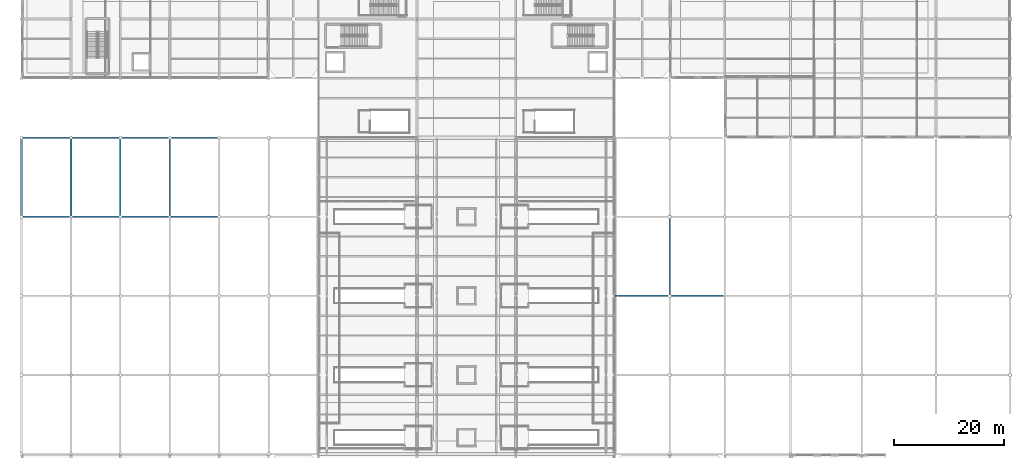
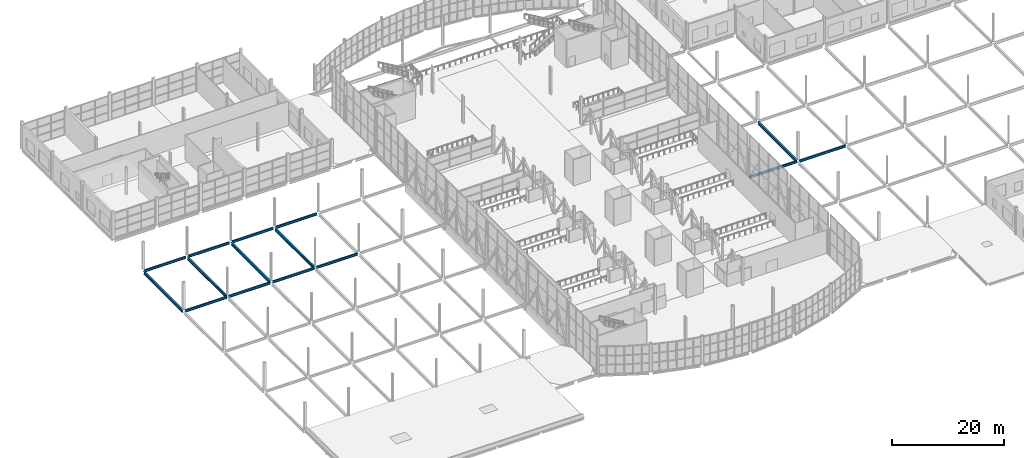
# One storey, part 67 of 191: 15 beams.
"""IFC4 building model written with IfcOpenShell, lengths in metres."""

from ifc_helpers import new_model, si_unit, direction, frame, origin, origin_2d, place, context, subcontext, project, spatial, i_section, extrude, material, material_profile, profile_set, type_object, element, save


model = new_model("IFC4")

# Units and contexts
model_context = context("Model", 3, precision=1e-05, world=origin(), true_north=direction((0.0, 1.0)))
body_context = subcontext(model_context, "Body", "Model", "MODEL_VIEW")
ifc_project = project(units=[si_unit("LENGTHUNIT", "METRE"), si_unit("AREAUNIT", "SQUARE_METRE"), si_unit("VOLUMEUNIT", "CUBIC_METRE"), si_unit("PLANEANGLEUNIT", "RADIAN"), si_unit("MASSUNIT", "GRAM", prefix="KILO")], contexts=[model_context])

# Site, building, storey
site_placement = place(None, origin())
site = spatial("IfcSite", under=ifc_project, at=site_placement, CompositionType="ELEMENT")
building_placement = place(site_placement, origin())
building = spatial("IfcBuilding", under=site, at=building_placement, Name="Tamarisk Ironworks Central Station", CompositionType="ELEMENT")
storey_placement = place(building_placement, frame((0.0, 0.0, 6.60009765625)))
storey = spatial("IfcBuildingStorey", under=building, at=storey_placement, Name="L01", CompositionType="ELEMENT", Elevation=6.60009765625)

# Beams
ifc_material = material(Name="Structural steel S355J2", Category="steel")
ifc_material_profile_1 = material_profile(ifc_material, i_section(OverallWidth=0.300048828125, OverallDepth=0.639892578125, WebThickness=0.013427734375, FlangeThickness=0.02587890625, at=origin_2d()), Name="HEA 650")
ifc_profile_set_1 = profile_set([ifc_material_profile_1], Name="Structural steel S355J2")
beam_type_1 = type_object("IfcBeamType", Name="BM-G02", PredefinedType="BEAM", material=ifc_profile_set_1)
beam_1_placement = place(storey_placement, frame((0.0, 65.0380859375, -0.570068359375), z_axis=(0.0, 1.0, 0.0), x_axis=(-1.0, 0.0, 0.0)))
element("IfcBeam", 1, at=beam_1_placement, inside=storey, type_object=beam_type_1, Name="L01 primary girder Y-0158", PredefinedType="BEAM", context=body_context, shape_type="SweptSolid", body=[
    extrude(i_section(OverallWidth=0.300048828125, OverallDepth=0.639892578125, WebThickness=0.013427734375, FlangeThickness=0.02587890625, at=origin_2d()), origin(), (0.0, 0.0, 1.0), 13.923828125),
])
beam_2_placement = place(storey_placement, frame((9.0, 64.9912109375, -0.570068359375), z_axis=(0.0, 1.0, 0.0), x_axis=(-1.0, 0.0, 0.0)))
element("IfcBeam", 2, at=beam_2_placement, inside=storey, type_object=beam_type_1, Name="L01 primary girder Y-0167", PredefinedType="BEAM", context=body_context, shape_type="SweptSolid", body=[
    extrude(i_section(OverallWidth=0.300048828125, OverallDepth=0.639892578125, WebThickness=0.013427734375, FlangeThickness=0.02587890625, at=origin_2d()), origin(), (0.0, 0.0, 1.0), 13.966796875),
])
beam_3_placement = place(storey_placement, frame((18.0, 65.0419921875, -0.570068359375), z_axis=(0.0, 1.0, 0.0), x_axis=(-1.0, 0.0, 0.0)))
element("IfcBeam", 3, at=beam_3_placement, inside=storey, type_object=beam_type_1, Name="L01 primary girder Y-0175", PredefinedType="BEAM", context=body_context, shape_type="SweptSolid", body=[
    extrude(i_section(OverallWidth=0.300048828125, OverallDepth=0.639892578125, WebThickness=0.013427734375, FlangeThickness=0.02587890625, at=origin_2d()), origin(), (0.0, 0.0, 1.0), 13.916015625),
])
beam_4_placement = place(storey_placement, frame((27.0, 64.9912109375, -0.570068359375), z_axis=(0.0, 1.0, 0.0), x_axis=(-1.0, 0.0, 0.0)))
element("IfcBeam", 4, at=beam_4_placement, inside=storey, type_object=beam_type_1, Name="L01 primary girder Y-0184", PredefinedType="BEAM", context=body_context, shape_type="SweptSolid", body=[
    extrude(i_section(OverallWidth=0.300048828125, OverallDepth=0.639892578125, WebThickness=0.013427734375, FlangeThickness=0.02587890625, at=origin_2d()), origin(), (0.0, 0.0, 1.0), 13.966796875),
])
beam_5_placement = place(storey_placement, frame((118.0, 50.637939453125, -0.570068359375), z_axis=(0.0, 1.0, 0.0), x_axis=(-1.0, 0.0, 0.0)))
element("IfcBeam", 5, at=beam_5_placement, inside=storey, type_object=beam_type_1, Name="L01 primary girder Y-0244", PredefinedType="BEAM", context=body_context, shape_type="SweptSolid", body=[
    extrude(i_section(OverallWidth=0.300048828125, OverallDepth=0.639892578125, WebThickness=0.013427734375, FlangeThickness=0.02587890625, at=origin_2d()), origin(), (0.0, 0.0, 1.0), 13.924072265625),
])
ifc_material_profile_2 = material_profile(ifc_material, i_section(OverallWidth=0.300048828125, OverallDepth=0.489990234375, WebThickness=0.011962890625, FlangeThickness=0.02294921875, at=origin_2d()), Name="HEA 500")
ifc_profile_set_2 = profile_set([ifc_material_profile_2], Name="Structural steel S355J2")
beam_type_2 = type_object("IfcBeamType", Name="BM-G05", PredefinedType="BEAM", material=ifc_profile_set_2)
beam_6_placement = place(storey_placement, frame((108.00390625, 50.39990234375, -0.385009765625), z_axis=(1.0, 0.0, 0.0), x_axis=(0.0, 1.0, 0.0)))
element("IfcBeam", 6, at=beam_6_placement, inside=storey, type_object=beam_type_2, Name="L01 primary girder X-0060", PredefinedType="BEAM", context=body_context, shape_type="SweptSolid", body=[
    extrude(i_section(OverallWidth=0.300048828125, OverallDepth=0.489990234375, WebThickness=0.011962890625, FlangeThickness=0.02294921875, at=origin_2d()), origin(), (0.0, 0.0, 1.0), 9.758056640625),
])
beam_7_placement = place(storey_placement, frame((118.238037109375, 50.39990234375, -0.4951171875), z_axis=(1.0, 0.0, 0.0), x_axis=(0.0, 1.0, 0.0)))
element("IfcBeam", 7, at=beam_7_placement, inside=storey, type_object=beam_type_2, Name="L01 primary girder X-0061", PredefinedType="BEAM", context=body_context, shape_type="SweptSolid", body=[
    extrude(i_section(OverallWidth=0.300048828125, OverallDepth=0.489990234375, WebThickness=0.011962890625, FlangeThickness=0.02294921875, at=origin_2d()), origin(), (0.0, 0.0, 1.0), 9.57080078125),
])
beam_8_placement = place(storey_placement, frame((0.238037109375, 64.800048828125, -0.4951171875), z_axis=(1.0, 0.0, 0.0), x_axis=(0.0, 1.0, 0.0)))
element("IfcBeam", 8, at=beam_8_placement, inside=storey, type_object=beam_type_2, Name="L01 primary girder X-0066", PredefinedType="BEAM", context=body_context, shape_type="SweptSolid", body=[
    extrude(i_section(OverallWidth=0.300048828125, OverallDepth=0.489990234375, WebThickness=0.011962890625, FlangeThickness=0.02294921875, at=origin_2d()), origin(), (0.0, 0.0, 1.0), 8.57080078125),
])
for number, where, z_axis, x_axis, name in (
    (9, (9.191162109375, 64.800048828125, -0.4951171875), (1.0, 0.0, 0.0), (0.0, 1.0, 0.0), "L01 primary girder X-0067"),
    (10, (18.241943359375, 64.800048828125, -0.4951171875), (1.0, 0.0, 0.0), (0.0, 1.0, 0.0), "L01 primary girder X-0068"),
    (11, (27.191162109375, 64.800048828125, -0.4951171875), (1.0, 0.0, 0.0), (0.0, 1.0, 0.0), "L01 primary girder X-0069"),
):
    element("IfcBeam", number, at=place(storey_placement, frame(where, z_axis=z_axis, x_axis=x_axis)), inside=storey, type_object=beam_type_2, Name=name, PredefinedType="BEAM", context=body_context, shape_type="SweptSolid", body=[
        extrude(i_section(OverallWidth=0.300048828125, OverallDepth=0.489990234375, WebThickness=0.011962890625, FlangeThickness=0.02294921875, at=origin_2d()), origin(), (0.0, 0.0, 1.0), 8.56689453125),
    ])
beam_9_placement = place(storey_placement, frame((0.238037109375, 79.199951171875, -0.4951171875), z_axis=(1.0, 0.0, 0.0), x_axis=(0.0, 1.0, 0.0)))
element("IfcBeam", 12, at=beam_9_placement, inside=storey, type_object=beam_type_2, Name="L01 primary girder X-0078", PredefinedType="BEAM", context=body_context, shape_type="SweptSolid", body=[
    extrude(i_section(OverallWidth=0.300048828125, OverallDepth=0.489990234375, WebThickness=0.011962890625, FlangeThickness=0.02294921875, at=origin_2d()), origin(), (0.0, 0.0, 1.0), 8.52001953125),
])
for number, where, z_axis, x_axis, name in (
    (13, (9.241943359375, 79.199951171875, -0.4951171875), (1.0, 0.0, 0.0), (0.0, 1.0, 0.0), "L01 primary girder X-0079"),
    (14, (18.241943359375, 79.199951171875, -0.4951171875), (1.0, 0.0, 0.0), (0.0, 1.0, 0.0), "L01 primary girder X-0080"),
    (15, (27.241943359375, 79.199951171875, -0.4951171875), (1.0, 0.0, 0.0), (0.0, 1.0, 0.0), "L01 primary girder X-0081"),
):
    element("IfcBeam", number, at=place(storey_placement, frame(where, z_axis=z_axis, x_axis=x_axis)), inside=storey, type_object=beam_type_2, Name=name, PredefinedType="BEAM", context=body_context, shape_type="SweptSolid", body=[
        extrude(i_section(OverallWidth=0.300048828125, OverallDepth=0.489990234375, WebThickness=0.011962890625, FlangeThickness=0.02294921875, at=origin_2d()), origin(), (0.0, 0.0, 1.0), 8.51611328125),
    ])

save(model, "model.ifc")
